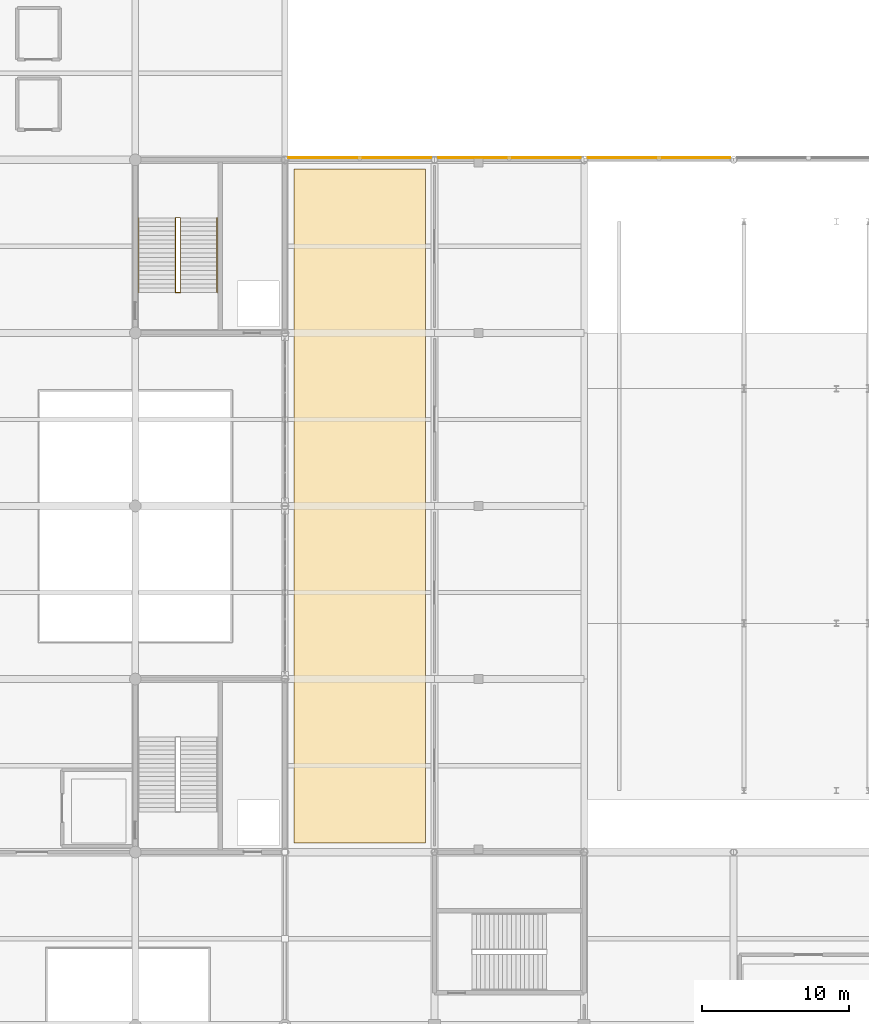
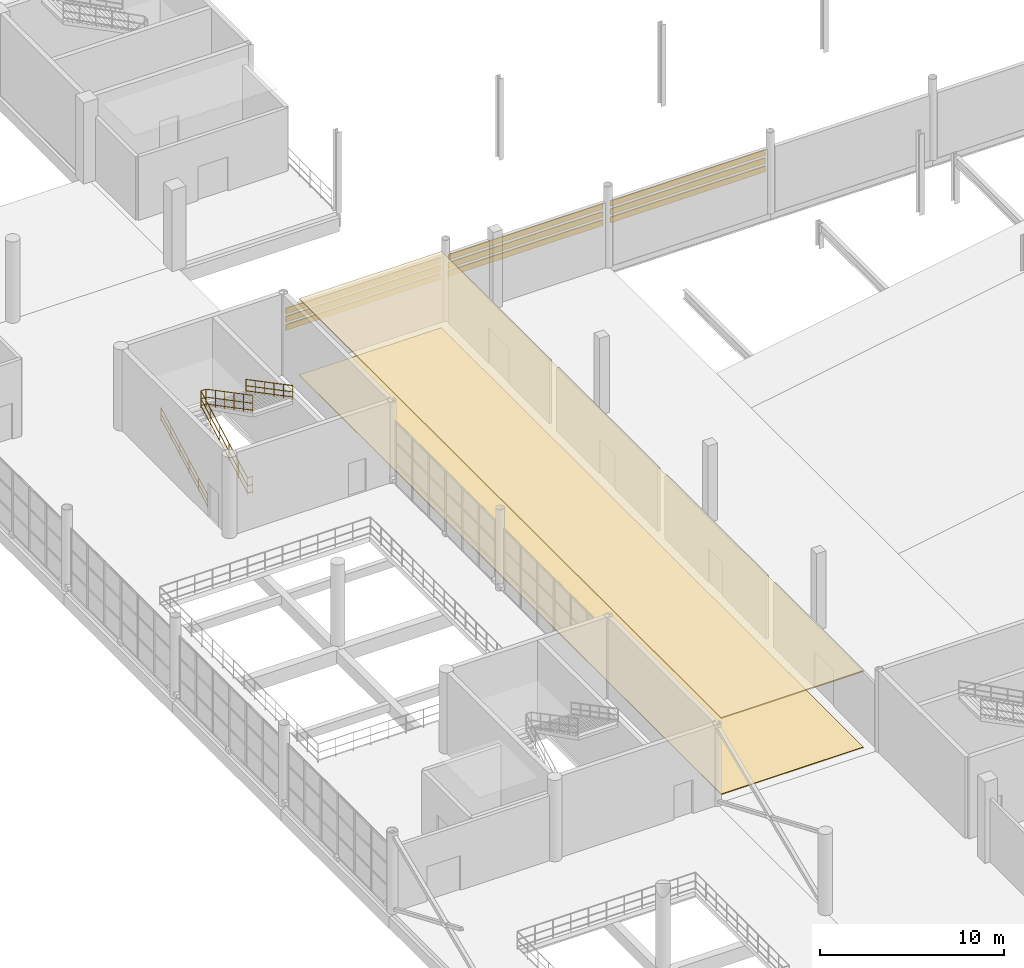
# One storey, part 170 of 175: 11 coverings, 4 railings.
"""IFC4 building model written with IfcOpenShell, lengths in metres."""

import ifcopenshell
import ifcopenshell.guid

model = None  # the IFC model being written
_history = None  # IfcOwnerHistory: only IFC2X3 demands one
_inside = {}  # id of a spatial element -> (the spatial element, [elements in it])
_under = {}  # id of a project, library or spatial element -> (it, [spatial elements below it])
_declared = {}  # id of a project -> (the project, [libraries it declares])
_typed = {}  # id of a type object -> (the type object, [elements of that type])
_made_of = {}  # id of a material, layer set ... -> (it, [elements and type objects made of it])


def new_model(schema):
    """Start an empty IFC model of exactly this schema.

    Asked for "IFC4X3", IfcOpenShell would pick the latest addendum, in which some entities
    have other attributes; the version numbers below select the first issue.
    IFC2X3 requires an IfcOwnerHistory on every rooted entity: one is made here for all.
    """
    global model, _history
    if schema == "IFC4X3":
        model = ifcopenshell.file(schema_version=(4, 3, 0, 0))
    else:
        model = ifcopenshell.file(schema=schema)
    _inside.clear()
    _under.clear()
    _declared.clear()
    _typed.clear()
    _made_of.clear()
    _history = None
    if model.schema == "IFC2X3":
        org = make("IfcOrganization", Name="unknown")
        user = make(
            "IfcPersonAndOrganization",
            ThePerson=make("IfcPerson", FamilyName="unknown"),
            TheOrganization=org,
        )
        app = make(
            "IfcApplication",
            ApplicationDeveloper=org,
            Version="unknown",
            ApplicationFullName="unknown",
            ApplicationIdentifier="unknown",
        )
        _history = make(
            "IfcOwnerHistory",
            OwningUser=user,
            OwningApplication=app,
            ChangeAction="ADDED",
            CreationDate=0,
        )
    return model


def make(cls, **values):
    """One entity of the class cls with the attributes given. An attribute that is None is left unset."""
    return model.create_entity(
        cls, **{name: value for name, value in values.items() if value is not None}
    )


def rooted(cls, **values):
    """An entity with a GlobalId (a new one), such as an element, a storey or a relation."""
    return make(cls, GlobalId=ifcopenshell.guid.new(), OwnerHistory=_history, **values)


def si_unit(unit_type, name, prefix=None):
    """IfcSIUnit, for example si_unit("LENGTHUNIT", "METRE", prefix="MILLI")."""
    return make("IfcSIUnit", UnitType=unit_type, Prefix=prefix, Name=name)


def assignment(units):
    """IfcUnitAssignment: the units of a project."""
    return None if units is None else make("IfcUnitAssignment", Units=units)


def point(xyz):
    """IfcCartesianPoint."""
    return None if xyz is None else make("IfcCartesianPoint", Coordinates=xyz)


def direction(xyz):
    """IfcDirection."""
    return None if xyz is None else make("IfcDirection", DirectionRatios=xyz)


def frame(location, z_axis=None, x_axis=None):
    """IfcAxis2Placement3D, a coordinate frame: its origin and axes. An axis left out is left unset."""
    return make(
        "IfcAxis2Placement3D",
        Location=point(location),
        Axis=direction(z_axis),
        RefDirection=direction(x_axis),
    )


def frame_2d(location, x_axis=None):
    """IfcAxis2Placement2D, a coordinate frame in the plane: its origin and x axis."""
    return make(
        "IfcAxis2Placement2D", Location=point(location), RefDirection=direction(x_axis)
    )


def origin():
    """The frame at (0, 0, 0) with its axes left unset."""
    return frame((0.0, 0.0, 0.0))


def origin_2d():
    """The frame at (0, 0) in the plane with its x axis left unset."""
    return frame_2d((0.0, 0.0))


def place(relative_to, where):
    """IfcLocalPlacement: puts the frame where relative to a parent placement (None: the world)."""
    return make(
        "IfcLocalPlacement", PlacementRelTo=relative_to, RelativePlacement=where
    )


def context(
    kind, dimensions, precision=None, world=None, true_north=None, identifier=None
):
    """IfcGeometricRepresentationContext, for example the 3D "Model" context."""
    return make(
        "IfcGeometricRepresentationContext",
        ContextIdentifier=identifier,
        ContextType=kind,
        CoordinateSpaceDimension=dimensions,
        Precision=precision,
        WorldCoordinateSystem=world,
        TrueNorth=true_north,
    )


def subcontext(parent, identifier, kind, view, scale=None):
    """IfcGeometricRepresentationSubContext, for example "Body" below "Model"."""
    return make(
        "IfcGeometricRepresentationSubContext",
        ContextIdentifier=identifier,
        ContextType=kind,
        ParentContext=parent,
        TargetScale=scale,
        TargetView=view,
    )


def project(units=None, contexts=None):
    """IfcProject with its units and contexts."""
    return rooted(
        "IfcProject",
        Name="project",
        RepresentationContexts=contexts,
        UnitsInContext=assignment(units),
    )


def spatial(cls, under=None, at=None, **own):
    """A site, building, storey or space (cls), placed at a placement, below another one or the project."""
    s = rooted(cls, ObjectPlacement=at, **own)
    if under is not None:
        _under.setdefault(under.id(), (under, []))[1].append(s)
    return s


def polyline(points):
    """IfcPolyline through the points."""
    return make("IfcPolyline", Points=[point(p) for p in points])


def profile(cls, at=None, kind="AREA", **sizes):
    """A parametric profile (cls). Its sizes go by their IFC names, for example OverallWidth=200.0."""
    return make(cls, ProfileType=kind, Position=at, **sizes)


def circle(**sizes):
    """IfcCircleProfileDef."""
    return profile("IfcCircleProfileDef", **sizes)


def outline(outer, holes=None, kind="AREA"):
    """IfcArbitraryClosedProfileDef: a profile drawn as a closed curve; with holes, ...WithVoids."""
    if holes is None:
        return make("IfcArbitraryClosedProfileDef", ProfileType=kind, OuterCurve=outer)
    return make(
        "IfcArbitraryProfileDefWithVoids",
        ProfileType=kind,
        OuterCurve=outer,
        InnerCurves=holes,
    )


def extrude(swept, where, along, depth):
    """IfcExtrudedAreaSolid: the profile swept, set in the frame where, extruded along a direction by depth."""
    return make(
        "IfcExtrudedAreaSolid",
        SweptArea=swept,
        Position=where,
        ExtrudedDirection=direction(along),
        Depth=depth,
    )


def shape(context_of_items, identifier, shape_type, items):
    """IfcShapeRepresentation: the items that make up one representation, for example the "Body"."""
    return make(
        "IfcShapeRepresentation",
        ContextOfItems=context_of_items,
        RepresentationIdentifier=identifier,
        RepresentationType=shape_type,
        Items=items,
    )


def material(Name=None, Category=None):
    """IfcMaterial."""
    return make("IfcMaterial", Name=Name, Category=Category)


def layer(
    of_material, thickness, ventilated=None, Name=None, Category=None, Priority=None
):
    """IfcMaterialLayer: one layer of a wall or slab, of a material (None: an air gap)."""
    return make(
        "IfcMaterialLayer",
        Material=of_material,
        LayerThickness=thickness,
        IsVentilated=ventilated,
        Name=Name,
        Category=Category,
        Priority=Priority,
    )


def layer_set(layers, Name=None):
    """IfcMaterialLayerSet."""
    return make("IfcMaterialLayerSet", MaterialLayers=layers, LayerSetName=Name)


def made_of(thing, what):
    """Note that an element or type object is made of a material, layer set ...; save() writes the relation."""
    if what is not None:
        _made_of.setdefault(what.id(), (what, []))[1].append(thing)
    return thing


def type_object(cls, material=None, **own):
    """A type object (cls), such as IfcWallType, which elements share."""
    return made_of(rooted(cls, **own), material)


def element(
    cls,
    number,
    at=None,
    inside=None,
    cuts=None,
    type_object=None,
    material=None,
    context=None,
    identifier="Body",
    shape_type=None,
    held_by="IfcProductDefinitionShape",
    body=None,
    shapes=None,
    **own,
):
    """One element of the class cls, such as IfcWall. Its Tag is "e" and its number.

    at: its placement. inside: the storey or other place that contains it. cuts: it is an
    opening in that element (IfcRelVoidsElement). A single representation is given by context,
    identifier, shape_type and body (its items); several are given by shapes. held_by: the class
    of the entity that holds the representations. save() writes the other relations.
    """
    e = rooted(cls, Tag="e%d" % number, ObjectPlacement=at, **own)
    if body is not None:
        shapes = [shape(context, identifier, shape_type, body)]
    if shapes is not None:
        e.Representation = make(held_by, Representations=shapes)
    if inside is not None:
        _inside.setdefault(inside.id(), (inside, []))[1].append(e)
    if cuts is not None:
        rooted(
            "IfcRelVoidsElement", RelatingBuildingElement=cuts, RelatedOpeningElement=e
        )
    if type_object is not None:
        _typed.setdefault(type_object.id(), (type_object, []))[1].append(e)
    return made_of(e, material)


def aggregate(whole, parts):
    """IfcRelAggregates: a whole, such as a stair, and the parts it consists of."""
    return rooted("IfcRelAggregates", RelatingObject=whole, RelatedObjects=parts)


def save(model, path):
    """Write the relations noted so far, then the file.

    IfcRelAggregates (storeys below a building ...), IfcRelContainedInSpatialStructure (elements
    in a storey), IfcRelDefinesByType, IfcRelAssociatesMaterial and IfcRelDeclares: one each for
    every whole, place, type object, material and project.
    """
    for whole, parts in _under.values():
        aggregate(whole, parts)
    for where, things in _inside.values():
        rooted(
            "IfcRelContainedInSpatialStructure",
            RelatedElements=things,
            RelatingStructure=where,
        )
    for kind, things in _typed.values():
        rooted("IfcRelDefinesByType", RelatedObjects=things, RelatingType=kind)
    for what, things in _made_of.values():
        rooted("IfcRelAssociatesMaterial", RelatedObjects=things, RelatingMaterial=what)
    for by, libraries in _declared.values():
        rooted("IfcRelDeclares", RelatingContext=by, RelatedDefinitions=libraries)
    model.write(path)


model = new_model("IFC4")

# Units and contexts
model_context = context("Model", 3, precision=1e-05, world=origin(), true_north=direction((0.0, 1.0)))
body_context = subcontext(model_context, "Body", "Model", "MODEL_VIEW")
ifc_project = project(units=[si_unit("LENGTHUNIT", "METRE"), si_unit("AREAUNIT", "SQUARE_METRE"), si_unit("VOLUMEUNIT", "CUBIC_METRE"), si_unit("PLANEANGLEUNIT", "RADIAN"), si_unit("MASSUNIT", "GRAM", prefix="KILO")], contexts=[model_context])

# Site, building, storey
site_placement = place(None, origin())
site = spatial("IfcSite", under=ifc_project, at=site_placement, CompositionType="ELEMENT")
building_placement = place(site_placement, origin())
building = spatial("IfcBuilding", under=site, at=building_placement, Name="Brelvane Convention Centre", CompositionType="ELEMENT")
storey_placement = place(building_placement, frame((0.0, 0.0, 5.39990234375)))
storey = spatial("IfcBuildingStorey", under=building, at=storey_placement, Name="L01", CompositionType="ELEMENT", Elevation=5.39990234375)

# Coverings
ifc_material_1 = material(Name="Patinated Copper-Bronze Alloy C22000")
ifc_layer_1 = layer(ifc_material_1, 0.044921875)
ifc_layer_set_1 = layer_set([ifc_layer_1], Name="Patinated Copper-Bronze Alloy C22000")
covering_type_1 = type_object("IfcCoveringType", Name="Envelope Covering CL-CU1", PredefinedType="CLADDING", material=ifc_layer_set_1)
covering_1_placement = place(storey_placement, frame((0.0, 0.0, 3.77001953125)))
element("IfcCovering", 1, at=covering_1_placement, inside=storey, type_object=covering_type_1, Name="Copper-Bronze Hull Band L01-V2N-L01-1-1", PredefinedType="CLADDING", context=body_context, shape_type="SweptSolid", body=[
    extrude(outline(polyline([(163.43994140625, 87.9208984375), (173.159912109375, 87.9208984375), (173.159912109375, 87.966064453125), (163.43994140625, 87.966064453125), (163.43994140625, 87.9208984375)])), origin(), (0.0, 0.0, 1.0), 0.380126953125),
])
covering_2_placement = place(storey_placement, frame((0.0, 0.0, 3.77001953125)))
element("IfcCovering", 2, at=covering_2_placement, inside=storey, type_object=covering_type_1, Name="Copper-Bronze Hull Band L01-V2N-L01-2-1", PredefinedType="CLADDING", context=body_context, shape_type="SweptSolid", body=[
    extrude(outline(polyline([(173.639892578125, 87.9208984375), (183.360107421875, 87.9208984375), (183.360107421875, 87.966064453125), (173.639892578125, 87.966064453125), (173.639892578125, 87.9208984375)])), origin(), (0.0, 0.0, 1.0), 0.380126953125),
])
covering_3_placement = place(storey_placement, frame((0.0, 0.0, 3.77001953125)))
element("IfcCovering", 3, at=covering_3_placement, inside=storey, type_object=covering_type_1, Name="Copper-Bronze Hull Band L01-V2N-L01-3-1", PredefinedType="CLADDING", context=body_context, shape_type="SweptSolid", body=[
    extrude(outline(polyline([(183.840087890625, 87.9208984375), (193.56005859375, 87.9208984375), (193.56005859375, 87.966064453125), (183.840087890625, 87.966064453125), (183.840087890625, 87.9208984375)])), origin(), (0.0, 0.0, 1.0), 0.380126953125),
])
ifc_material_2 = material(Name="Patinated Copper-Bronze Alloy C22000")
ifc_layer_2 = layer(ifc_material_2, 0.054931640625)
ifc_layer_set_2 = layer_set([ifc_layer_2], Name="Patinated Copper-Bronze Alloy C22000")
covering_type_2 = type_object("IfcCoveringType", Name="Envelope Covering CL-CU2", PredefinedType="CLADDING", material=ifc_layer_set_2)
covering_4_placement = place(storey_placement, frame((0.0, 0.0, 3.22021484375)))
element("IfcCovering", 4, at=covering_4_placement, inside=storey, type_object=covering_type_2, Name="Copper-Bronze Hull Band L01-V2N-L01-1-2", PredefinedType="CLADDING", context=body_context, shape_type="SweptSolid", body=[
    extrude(outline(polyline([(163.43994140625, 87.9208984375), (173.159912109375, 87.9208984375), (173.159912109375, 87.97607421875), (163.43994140625, 87.97607421875), (163.43994140625, 87.9208984375)])), origin(), (0.0, 0.0, 1.0), 0.3798828125),
])
covering_5_placement = place(storey_placement, frame((0.0, 0.0, 3.22021484375)))
element("IfcCovering", 5, at=covering_5_placement, inside=storey, type_object=covering_type_2, Name="Copper-Bronze Hull Band L01-V2N-L01-2-2", PredefinedType="CLADDING", context=body_context, shape_type="SweptSolid", body=[
    extrude(outline(polyline([(173.639892578125, 87.9208984375), (183.360107421875, 87.9208984375), (183.360107421875, 87.97607421875), (173.639892578125, 87.97607421875), (173.639892578125, 87.9208984375)])), origin(), (0.0, 0.0, 1.0), 0.3798828125),
])
covering_6_placement = place(storey_placement, frame((0.0, 0.0, 3.22021484375)))
element("IfcCovering", 6, at=covering_6_placement, inside=storey, type_object=covering_type_2, Name="Copper-Bronze Hull Band L01-V2N-L01-3-2", PredefinedType="CLADDING", context=body_context, shape_type="SweptSolid", body=[
    extrude(outline(polyline([(183.840087890625, 87.9208984375), (193.56005859375, 87.9208984375), (193.56005859375, 87.97607421875), (183.840087890625, 87.97607421875), (183.840087890625, 87.9208984375)])), origin(), (0.0, 0.0, 1.0), 0.3798828125),
])
ifc_material_3 = material(Name="Patinated Copper-Bronze Alloy C22000")
ifc_layer_3 = layer(ifc_material_3, 0.06494140625)
ifc_layer_set_3 = layer_set([ifc_layer_3], Name="Patinated Copper-Bronze Alloy C22000")
covering_type_3 = type_object("IfcCoveringType", Name="Envelope Covering CL-CU3", PredefinedType="CLADDING", material=ifc_layer_set_3)
covering_7_placement = place(storey_placement, frame((0.0, 0.0, 2.670166015625)))
element("IfcCovering", 7, at=covering_7_placement, inside=storey, type_object=covering_type_3, Name="Copper-Bronze Hull Band L01-V2N-L01-1-3", PredefinedType="CLADDING", context=body_context, shape_type="SweptSolid", body=[
    extrude(outline(polyline([(163.43994140625, 87.9208984375), (173.159912109375, 87.9208984375), (173.159912109375, 87.986083984375), (163.43994140625, 87.986083984375), (163.43994140625, 87.9208984375)])), origin(), (0.0, 0.0, 1.0), 0.3798828125),
])
covering_8_placement = place(storey_placement, frame((0.0, 0.0, 2.670166015625)))
element("IfcCovering", 8, at=covering_8_placement, inside=storey, type_object=covering_type_3, Name="Copper-Bronze Hull Band L01-V2N-L01-2-3", PredefinedType="CLADDING", context=body_context, shape_type="SweptSolid", body=[
    extrude(outline(polyline([(173.639892578125, 87.9208984375), (183.360107421875, 87.9208984375), (183.360107421875, 87.986083984375), (173.639892578125, 87.986083984375), (173.639892578125, 87.9208984375)])), origin(), (0.0, 0.0, 1.0), 0.3798828125),
])
covering_9_placement = place(storey_placement, frame((0.0, 0.0, 2.670166015625)))
element("IfcCovering", 9, at=covering_9_placement, inside=storey, type_object=covering_type_3, Name="Copper-Bronze Hull Band L01-V2N-L01-3-3", PredefinedType="CLADDING", context=body_context, shape_type="SweptSolid", body=[
    extrude(outline(polyline([(183.840087890625, 87.9208984375), (193.56005859375, 87.9208984375), (193.56005859375, 87.986083984375), (183.840087890625, 87.986083984375), (183.840087890625, 87.9208984375)])), origin(), (0.0, 0.0, 1.0), 0.3798828125),
])
ifc_material_4 = material(Name="Perforated Anodised Aluminium Alloy 6063 Acoustic Baffle", Category="aluminium")
ifc_layer_4 = layer(ifc_material_4, 0.074951171875)
ifc_layer_set_4 = layer_set([ifc_layer_4], Name="Perforated Anodised Aluminium Alloy 6063 Acoustic Baffle")
covering_type_4 = type_object("IfcCoveringType", Name="Interior Finish CL-BAF-75", PredefinedType="CEILING", material=ifc_layer_set_4)
covering_10_placement = place(storey_placement, frame((0.0, 0.0, 5.045166015625)))
element("IfcCovering", 10, at=covering_10_placement, inside=storey, type_object=covering_type_4, Name="Pre-function Foyer Plenary West Acoustic Ceiling (CL-BAF-75)", PredefinedType="CEILING", context=body_context, shape_type="SweptSolid", body=[
    extrude(outline(polyline([(163.830078125, 41.22998046875), (172.77001953125, 41.22998046875), (172.77001953125, 87.169921875), (163.830078125, 87.169921875), (163.830078125, 41.22998046875)])), origin(), (0.0, 0.0, 1.0), 0.074951171875),
])
ifc_material_5 = material(Name="Polished Basalt-Aggregate Terrazzo Screed Concrete M30", Category="masonry")
ifc_layer_5 = layer(ifc_material_5, 0.050048828125)
ifc_layer_set_5 = layer_set([ifc_layer_5], Name="Polished Basalt-Aggregate Terrazzo Screed Concrete M30")
covering_type_5 = type_object("IfcCoveringType", Name="Interior Finish FL-TER-50", PredefinedType="FLOORING", material=ifc_layer_set_5)
covering_11_placement = place(storey_placement, origin())
element("IfcCovering", 11, at=covering_11_placement, inside=storey, type_object=covering_type_5, Name="Pre-function Foyer Plenary West Floor Finish (FL-TER-50)", PredefinedType="FLOORING", context=body_context, shape_type="SweptSolid", body=[
    extrude(outline(polyline([(163.830078125, 41.22998046875), (172.77001953125, 41.22998046875), (172.77001953125, 87.169921875), (163.830078125, 87.169921875), (163.830078125, 41.22998046875)])), origin(), (0.0, 0.0, 1.0), 0.050048828125),
])

# Railings
ifc_material_6 = material(Name="Steel E350 (350 MPa)", Category="steel")
railing_type_1 = type_object("IfcRailingType", Name="Stair Railing GR-ST-1", PredefinedType="GUARDRAIL", material=ifc_material_6)
railing_1_placement = place(storey_placement, frame((155.739990234375, 78.75, -0.02001953125)))
element("IfcRailing", 12, at=railing_1_placement, inside=storey, type_object=railing_type_1, Name="Stair ST-04 L01 Inner Well Guard", PredefinedType="GUARDRAIL", context=body_context, shape_type="SweptSolid", body=[
    extrude(circle(Radius=0.02392578125, at=origin_2d()), frame((0.0, 0.0, 1.1259765625), z_axis=(0.0, 0.882341248864, 0.470610157724), x_axis=(-1.0, 0.0, 0.0)), (0.0, 0.0, 1.0), 5.7802734375),
    extrude(circle(Radius=0.02392578125, at=origin_2d()), frame((0.0, 0.0, 0.597900390625), z_axis=(0.0, 0.882341248864, 0.470610157724), x_axis=(-1.0, 0.0, 0.0)), (0.0, 0.0, 1.0), 5.7802734375),
    extrude(circle(Radius=0.02392578125, at=origin_2d()), frame((0.0, 0.0, 0.139892578125), z_axis=(0.0, 0.882341248864, 0.470610157724), x_axis=(-1.0, 0.0, 0.0)), (0.0, 0.0, 1.0), 5.7802734375),
    extrude(circle(Radius=0.02392578125, at=origin_2d()), frame((0.0, 5.10009765625, 3.84619140625), z_axis=(1.0, 0.0, 0.0), x_axis=(0.0, 1.0, 0.0)), (0.0, 0.0, 1.0), 0.320068359375),
    extrude(circle(Radius=0.02392578125, at=origin_2d()), frame((0.0, 5.10009765625, 3.318115234375), z_axis=(1.0, 0.0, 0.0), x_axis=(0.0, 1.0, 0.0)), (0.0, 0.0, 1.0), 0.320068359375),
    extrude(circle(Radius=0.02392578125, at=origin_2d()), frame((0.0, 5.10009765625, 2.860107421875), z_axis=(1.0, 0.0, 0.0), x_axis=(0.0, 1.0, 0.0)), (0.0, 0.0, 1.0), 0.320068359375),
    extrude(circle(Radius=0.02392578125, at=origin_2d()), frame((0.320068359375, 5.10009765625, 3.84619140625), z_axis=(0.0, -0.885227801088, 0.465157758379), x_axis=(1.0, 0.0, 0.0)), (0.0, 0.0, 1.0), 5.76123046875),
    extrude(circle(Radius=0.02392578125, at=origin_2d()), frame((0.320068359375, 5.10009765625, 3.318115234375), z_axis=(0.0, -0.885227801088, 0.465157758379), x_axis=(1.0, 0.0, 0.0)), (0.0, 0.0, 1.0), 5.76123046875),
    extrude(circle(Radius=0.02392578125, at=origin_2d()), frame((0.320068359375, 5.10009765625, 2.860107421875), z_axis=(0.0, -0.885227801088, 0.465157758379), x_axis=(1.0, 0.0, 0.0)), (0.0, 0.0, 1.0), 5.76123046875),
    extrude(circle(Radius=0.02099609375, at=origin_2d()), origin(), (0.0, 0.0, 1.0), 1.101806640625),
    extrude(circle(Radius=0.02099609375, at=origin_2d()), frame((0.0, 1.02001953125, 0.5439453125)), (0.0, 0.0, 1.0), 1.101806640625),
    extrude(circle(Radius=0.02099609375, at=origin_2d()), frame((0.0, 2.0400390625, 1.088134765625)), (0.0, 0.0, 1.0), 1.101806640625),
    extrude(circle(Radius=0.02099609375, at=origin_2d()), frame((0.0, 3.06005859375, 1.632080078125)), (0.0, 0.0, 1.0), 1.101806640625),
    extrude(circle(Radius=0.02099609375, at=origin_2d()), frame((0.0, 4.080078125, 2.17626953125)), (0.0, 0.0, 1.0), 1.101806640625),
    extrude(circle(Radius=0.02099609375, at=origin_2d()), frame((0.0, 5.10009765625, 2.72021484375)), (0.0, 0.0, 1.0), 1.101806640625),
    extrude(circle(Radius=0.02099609375, at=origin_2d()), frame((0.320068359375, 5.10009765625, 2.72021484375)), (0.0, 0.0, 1.0), 1.101806640625),
    extrude(circle(Radius=0.02099609375, at=origin_2d()), frame((0.320068359375, 4.080078125, 3.256103515625)), (0.0, 0.0, 1.0), 1.101806640625),
    extrude(circle(Radius=0.02099609375, at=origin_2d()), frame((0.320068359375, 3.06005859375, 3.792236328125)), (0.0, 0.0, 1.0), 1.101806640625),
    extrude(circle(Radius=0.02099609375, at=origin_2d()), frame((0.320068359375, 2.0400390625, 4.328125)), (0.0, 0.0, 1.0), 1.101806640625),
    extrude(circle(Radius=0.02099609375, at=origin_2d()), frame((0.320068359375, 1.02001953125, 4.8642578125)), (0.0, 0.0, 1.0), 1.101806640625),
    extrude(circle(Radius=0.02099609375, at=origin_2d()), frame((0.320068359375, 0.0, 5.400146484375)), (0.0, 0.0, 1.0), 1.101806640625),
])
ifc_material_7 = material(Name="Steel E350 (350 MPa)", Category="steel")
railing_type_2 = type_object("IfcRailingType", Name="Stair Railing GR-ST-2", PredefinedType="GUARDRAIL", material=ifc_material_7)
railing_2_placement = place(storey_placement, frame((155.739990234375, 78.75, -0.02001953125)))
element("IfcRailing", 13, at=railing_2_placement, inside=storey, type_object=railing_type_2, Name="Stair ST-04 L01 Landing Well Guard", PredefinedType="GUARDRAIL", context=body_context, shape_type="SweptSolid", body=[
    extrude(circle(Radius=0.02392578125, at=origin_2d()), frame((0.0, 0.0, 1.15576171875), z_axis=(1.0, 0.0, 0.0), x_axis=(0.0, 1.0, 0.0)), (0.0, 0.0, 1.0), 0.320068359375),
    extrude(circle(Radius=0.02392578125, at=origin_2d()), frame((0.0, 0.0, 0.613525390625), z_axis=(1.0, 0.0, 0.0), x_axis=(0.0, 1.0, 0.0)), (0.0, 0.0, 1.0), 0.320068359375),
    extrude(circle(Radius=0.02392578125, at=origin_2d()), frame((0.0, 0.0, 0.139892578125), z_axis=(1.0, 0.0, 0.0), x_axis=(0.0, 1.0, 0.0)), (0.0, 0.0, 1.0), 0.320068359375),
    extrude(circle(Radius=0.02099609375, at=origin_2d()), origin(), (0.0, 0.0, 1.0), 1.1318359375),
    extrude(circle(Radius=0.02099609375, at=origin_2d()), frame((0.320068359375, 0.0, 0.0)), (0.0, 0.0, 1.0), 1.1318359375),
])
ifc_material_8 = material(Name="Steel E350 (350 MPa)", Category="steel")
railing_type_3 = type_object("IfcRailingType", Name="Stair Railing HR-ST-1", PredefinedType="HANDRAIL", material=ifc_material_8)
railing_3_placement = place(storey_placement, frame((153.22998046875, 78.75, -0.02001953125)))
element("IfcRailing", 14, at=railing_3_placement, inside=storey, type_object=railing_type_3, Name="Stair ST-04 L01 Outer Handrail F1", PredefinedType="HANDRAIL", context=body_context, shape_type="SweptSolid", body=[
    extrude(circle(Radius=0.02392578125, at=origin_2d()), frame((0.0, 0.0, 0.89599609375), z_axis=(0.0, 0.882341248864, 0.470610157724), x_axis=(-1.0, 0.0, 0.0)), (0.0, 0.0, 1.0), 5.7802734375),
    extrude(circle(Radius=0.02392578125, at=origin_2d()), frame((0.0, 0.0, 0.478271484375), z_axis=(0.0, 0.882341248864, 0.470610157724), x_axis=(-1.0, 0.0, 0.0)), (0.0, 0.0, 1.0), 5.7802734375),
    extrude(circle(Radius=0.02392578125, at=origin_2d()), frame((0.0, 0.0, 0.139892578125), z_axis=(0.0, 0.882341248864, 0.470610157724), x_axis=(-1.0, 0.0, 0.0)), (0.0, 0.0, 1.0), 5.7802734375),
    extrude(circle(Radius=0.02099609375, at=origin_2d()), origin(), (0.0, 0.0, 1.0), 0.871826171875),
    extrude(circle(Radius=0.02099609375, at=origin_2d()), frame((0.0, 1.02001953125, 0.5439453125)), (0.0, 0.0, 1.0), 0.871826171875),
    extrude(circle(Radius=0.02099609375, at=origin_2d()), frame((0.0, 2.0400390625, 1.088134765625)), (0.0, 0.0, 1.0), 0.871826171875),
    extrude(circle(Radius=0.02099609375, at=origin_2d()), frame((0.0, 3.06005859375, 1.632080078125)), (0.0, 0.0, 1.0), 0.871826171875),
    extrude(circle(Radius=0.02099609375, at=origin_2d()), frame((0.0, 4.080078125, 2.17626953125)), (0.0, 0.0, 1.0), 0.871826171875),
    extrude(circle(Radius=0.02099609375, at=origin_2d()), frame((0.0, 5.10009765625, 2.72021484375)), (0.0, 0.0, 1.0), 0.871826171875),
])
railing_4_placement = place(storey_placement, frame((158.570068359375, 83.85009765625, 2.7001953125)))
element("IfcRailing", 15, at=railing_4_placement, inside=storey, type_object=railing_type_3, Name="Stair ST-04 L01 Outer Handrail F2", PredefinedType="HANDRAIL", context=body_context, shape_type="SweptSolid", body=[
    extrude(circle(Radius=0.02392578125, at=origin_2d()), frame((0.0, 0.0, 0.89599609375), z_axis=(0.0, -0.885227801088, 0.465157758379), x_axis=(1.0, 0.0, 0.0)), (0.0, 0.0, 1.0), 5.76123046875),
    extrude(circle(Radius=0.02392578125, at=origin_2d()), frame((0.0, 0.0, 0.478271484375), z_axis=(0.0, -0.885227801088, 0.465157758379), x_axis=(1.0, 0.0, 0.0)), (0.0, 0.0, 1.0), 5.76123046875),
    extrude(circle(Radius=0.02392578125, at=origin_2d()), frame((0.0, 0.0, 0.139892578125), z_axis=(0.0, -0.885227801088, 0.465157758379), x_axis=(1.0, 0.0, 0.0)), (0.0, 0.0, 1.0), 5.76123046875),
    extrude(circle(Radius=0.02099609375, at=origin_2d()), origin(), (0.0, 0.0, 1.0), 0.871826171875),
    extrude(circle(Radius=0.02099609375, at=origin_2d()), frame((0.0, -1.02001953125, 0.535888671875)), (0.0, 0.0, 1.0), 0.871826171875),
    extrude(circle(Radius=0.02099609375, at=origin_2d()), frame((0.0, -2.0400390625, 1.072021484375)), (0.0, 0.0, 1.0), 0.871826171875),
    extrude(circle(Radius=0.02099609375, at=origin_2d()), frame((0.0, -3.06005859375, 1.60791015625)), (0.0, 0.0, 1.0), 0.871826171875),
    extrude(circle(Radius=0.02099609375, at=origin_2d()), frame((0.0, -4.080078125, 2.14404296875)), (0.0, 0.0, 1.0), 0.871826171875),
    extrude(circle(Radius=0.02099609375, at=origin_2d()), frame((0.0, -5.10009765625, 2.679931640625)), (0.0, 0.0, 1.0), 0.871826171875),
])

save(model, "model.ifc")
